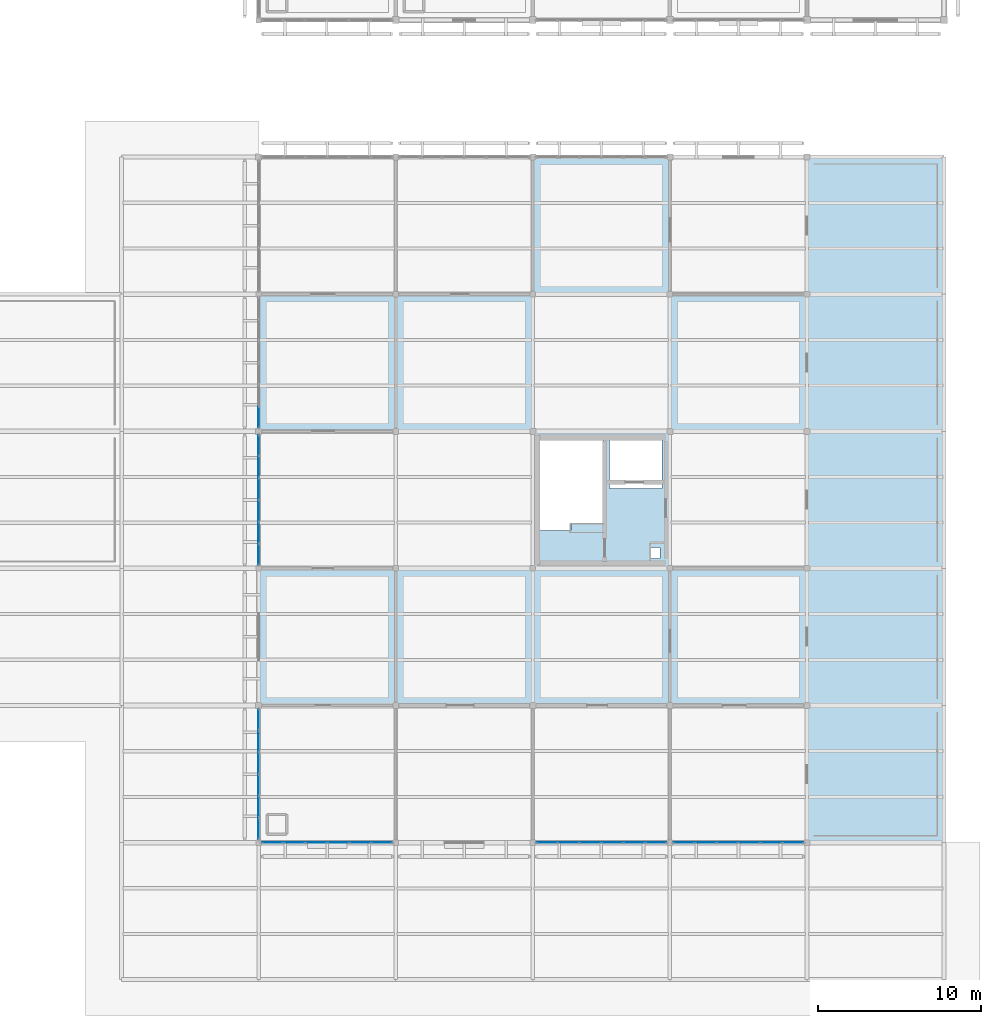
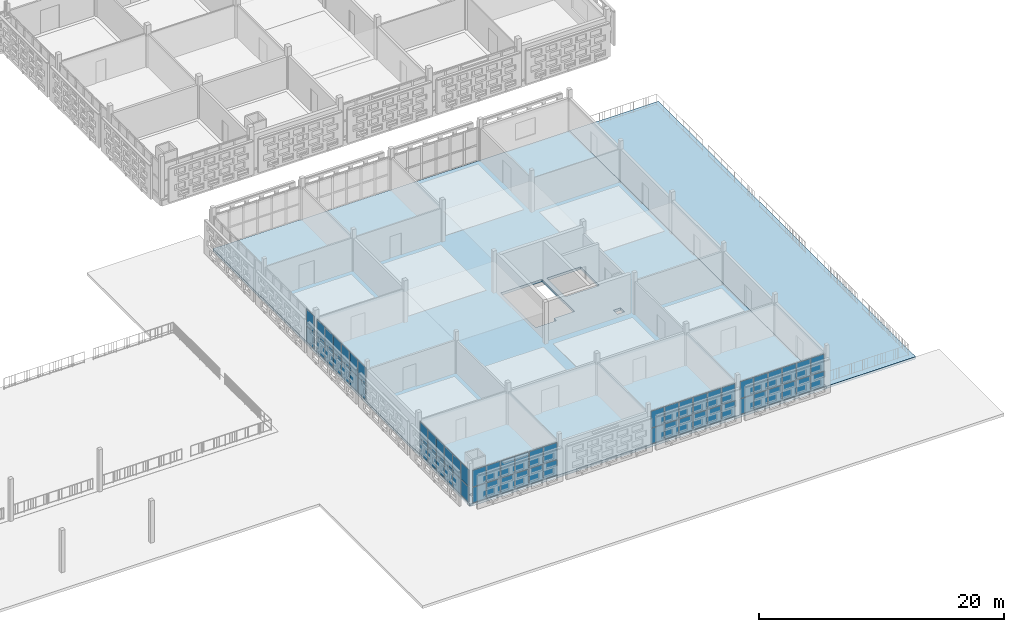
# One storey, part 89 of 166: 62 plates, 2 slabs, 6 elements without a shape of their own.
"""IFC4 building model written with IfcOpenShell, lengths in metres."""

from ifc_helpers import new_model, si_unit, direction, frame, origin, origin_2d, place, context, subcontext, project, spatial, polyline, rectangle, outline, extrude, material, layer, layer_set, type_object, element, aggregate, save


model = new_model("IFC4")

# Units and contexts
model_context = context("Model", 3, precision=1e-05, world=origin(), true_north=direction((0.0, 1.0)))
body_context = subcontext(model_context, "Body", "Model", "MODEL_VIEW")
ifc_project = project(units=[si_unit("LENGTHUNIT", "METRE"), si_unit("AREAUNIT", "SQUARE_METRE"), si_unit("VOLUMEUNIT", "CUBIC_METRE"), si_unit("PLANEANGLEUNIT", "RADIAN"), si_unit("MASSUNIT", "GRAM", prefix="KILO")], contexts=[model_context])

# Site, building, storey
site_placement = place(None, origin())
site = spatial("IfcSite", under=ifc_project, at=site_placement, CompositionType="ELEMENT")
building_placement = place(site_placement, origin())
building = spatial("IfcBuilding", under=site, at=building_placement, Name="Varnapada Polytechnic", CompositionType="ELEMENT")
storey_placement = place(building_placement, frame((0.0, 0.0, 9.60009765625)))
storey = spatial("IfcBuildingStorey", under=building, at=storey_placement, Name="L02", CompositionType="ELEMENT", Elevation=9.60009765625)

# Curtain wall, plates
ifc_material_1 = material(Name="Double low-E laminated glass", Category="glass")
ifc_layer_1 = layer(ifc_material_1, 0.159912109375)
ifc_layer_set_1 = layer_set([ifc_layer_1], Name="Double low-E laminated glass")
curtain_wall_type_1 = type_object("IfcCurtainWallType", Name="Curtain Wall CW-01", PredefinedType="NOTDEFINED", material=ifc_layer_set_1)
curtain_wall_1_placement = place(storey_placement, origin())
curtain_wall_1 = element("IfcCurtainWall", 1, at=curtain_wall_1_placement, inside=storey, type_object=curtain_wall_type_1, Name="L02 unitised curtain wall CW-01 (184)", PredefinedType="NOTDEFINED")
ifc_layer_2 = layer(ifc_material_1, 0.028076171875)
ifc_layer_set_2 = layer_set([ifc_layer_2], Name="Double low-E laminated glass")
plate_type_1 = type_object("IfcPlateType", Name="Curtain Panel PNL-01", PredefinedType="CURTAIN_PANEL", material=ifc_layer_set_2)
plate_1_placement = place(storey_placement, frame((134.39990234375, 26.055908203125, 0.06005859375), z_axis=(0.0, 0.0, 1.0), x_axis=(0.0, 1.0, 0.0)))
plate_1 = element("IfcPlate", 2, at=plate_1_placement, type_object=plate_type_1, Name="CW-01 panel 1.1", PredefinedType="CURTAIN_PANEL", context=body_context, shape_type="SweptSolid", body=[
    extrude(rectangle(XDim=1.251708984375, YDim=0.028076171875, at=origin_2d()), origin(), (0.0, 0.0, 1.0), 1.522705078125),
])
plate_2_placement = place(storey_placement, frame((134.39990234375, 26.055908203125, 1.642578125), z_axis=(0.0, 0.0, 1.0), x_axis=(0.0, 1.0, 0.0)))
plate_2 = element("IfcPlate", 3, at=plate_2_placement, type_object=plate_type_1, Name="CW-01 panel 1.2", PredefinedType="CURTAIN_PANEL", context=body_context, shape_type="SweptSolid", body=[
    extrude(rectangle(XDim=1.251708984375, YDim=0.028076171875, at=origin_2d()), origin(), (0.0, 0.0, 1.0), 1.6572265625),
])
plate_3_placement = place(storey_placement, frame((134.39990234375, 27.382568359375, 0.06005859375), z_axis=(0.0, 0.0, 1.0), x_axis=(0.0, 1.0, 0.0)))
plate_3 = element("IfcPlate", 4, at=plate_3_placement, type_object=plate_type_1, Name="CW-01 panel 2.1", PredefinedType="CURTAIN_PANEL", context=body_context, shape_type="SweptSolid", body=[
    extrude(rectangle(XDim=1.28173828125, YDim=0.028076171875, at=origin_2d()), origin(), (0.0, 0.0, 1.0), 1.522705078125),
])
plate_4_placement = place(storey_placement, frame((134.39990234375, 27.382568359375, 1.642578125), z_axis=(0.0, 0.0, 1.0), x_axis=(0.0, 1.0, 0.0)))
plate_4 = element("IfcPlate", 5, at=plate_4_placement, type_object=plate_type_1, Name="CW-01 panel 2.2", PredefinedType="CURTAIN_PANEL", context=body_context, shape_type="SweptSolid", body=[
    extrude(rectangle(XDim=1.28173828125, YDim=0.028076171875, at=origin_2d()), origin(), (0.0, 0.0, 1.0), 1.6572265625),
])
plate_5_placement = place(storey_placement, frame((134.39990234375, 28.72412109375, 0.06005859375), z_axis=(0.0, 0.0, 1.0), x_axis=(0.0, 1.0, 0.0)))
plate_5 = element("IfcPlate", 6, at=plate_5_placement, type_object=plate_type_1, Name="CW-01 panel 3.1", PredefinedType="CURTAIN_PANEL", context=body_context, shape_type="SweptSolid", body=[
    extrude(rectangle(XDim=1.28173828125, YDim=0.028076171875, at=origin_2d()), origin(), (0.0, 0.0, 1.0), 1.522705078125),
])
plate_6_placement = place(storey_placement, frame((134.39990234375, 28.72412109375, 1.642578125), z_axis=(0.0, 0.0, 1.0), x_axis=(0.0, 1.0, 0.0)))
plate_6 = element("IfcPlate", 7, at=plate_6_placement, type_object=plate_type_1, Name="CW-01 panel 3.2", PredefinedType="CURTAIN_PANEL", context=body_context, shape_type="SweptSolid", body=[
    extrude(rectangle(XDim=1.28173828125, YDim=0.028076171875, at=origin_2d()), origin(), (0.0, 0.0, 1.0), 1.6572265625),
])
plate_7_placement = place(storey_placement, frame((134.39990234375, 30.06591796875, 0.06005859375), z_axis=(0.0, 0.0, 1.0), x_axis=(0.0, 1.0, 0.0)))
plate_7 = element("IfcPlate", 8, at=plate_7_placement, type_object=plate_type_1, Name="CW-01 panel 4.1", PredefinedType="CURTAIN_PANEL", context=body_context, shape_type="SweptSolid", body=[
    extrude(rectangle(XDim=1.28173828125, YDim=0.028076171875, at=origin_2d()), origin(), (0.0, 0.0, 1.0), 1.522705078125),
])
plate_8_placement = place(storey_placement, frame((134.39990234375, 30.06591796875, 1.642578125), z_axis=(0.0, 0.0, 1.0), x_axis=(0.0, 1.0, 0.0)))
plate_8 = element("IfcPlate", 9, at=plate_8_placement, type_object=plate_type_1, Name="CW-01 panel 4.2", PredefinedType="CURTAIN_PANEL", context=body_context, shape_type="SweptSolid", body=[
    extrude(rectangle(XDim=1.28173828125, YDim=0.028076171875, at=origin_2d()), origin(), (0.0, 0.0, 1.0), 1.6572265625),
])
plate_9_placement = place(storey_placement, frame((134.39990234375, 31.407470703125, 0.06005859375), z_axis=(0.0, 0.0, 1.0), x_axis=(0.0, 1.0, 0.0)))
plate_9 = element("IfcPlate", 10, at=plate_9_placement, type_object=plate_type_1, Name="CW-01 panel 5.1", PredefinedType="CURTAIN_PANEL", context=body_context, shape_type="SweptSolid", body=[
    extrude(rectangle(XDim=1.28173828125, YDim=0.028076171875, at=origin_2d()), origin(), (0.0, 0.0, 1.0), 1.522705078125),
])
plate_10_placement = place(storey_placement, frame((134.39990234375, 31.407470703125, 1.642578125), z_axis=(0.0, 0.0, 1.0), x_axis=(0.0, 1.0, 0.0)))
plate_10 = element("IfcPlate", 11, at=plate_10_placement, type_object=plate_type_1, Name="CW-01 panel 5.2", PredefinedType="CURTAIN_PANEL", context=body_context, shape_type="SweptSolid", body=[
    extrude(rectangle(XDim=1.28173828125, YDim=0.028076171875, at=origin_2d()), origin(), (0.0, 0.0, 1.0), 1.6572265625),
])
plate_11_placement = place(storey_placement, frame((134.39990234375, 32.734130859375, 0.06005859375), z_axis=(0.0, 0.0, 1.0), x_axis=(0.0, 1.0, 0.0)))
plate_11 = element("IfcPlate", 12, at=plate_11_placement, type_object=plate_type_1, Name="CW-01 panel 6.1", PredefinedType="CURTAIN_PANEL", context=body_context, shape_type="SweptSolid", body=[
    extrude(rectangle(XDim=1.251708984375, YDim=0.028076171875, at=origin_2d()), origin(), (0.0, 0.0, 1.0), 1.522705078125),
])
plate_12_placement = place(storey_placement, frame((134.39990234375, 32.734130859375, 1.642578125), z_axis=(0.0, 0.0, 1.0), x_axis=(0.0, 1.0, 0.0)))
plate_12 = element("IfcPlate", 13, at=plate_12_placement, type_object=plate_type_1, Name="CW-01 panel 6.2", PredefinedType="CURTAIN_PANEL", context=body_context, shape_type="SweptSolid", body=[
    extrude(rectangle(XDim=1.251708984375, YDim=0.028076171875, at=origin_2d()), origin(), (0.0, 0.0, 1.0), 1.6572265625),
])
aggregate(curtain_wall_1, [plate_1, plate_2, plate_3, plate_4, plate_5, plate_6, plate_7, plate_8, plate_9, plate_10, plate_11, plate_12])

curtain_wall_2_placement = place(storey_placement, origin())
curtain_wall_2 = element("IfcCurtainWall", 14, at=curtain_wall_2_placement, inside=storey, type_object=curtain_wall_type_1, Name="L02 unitised curtain wall CW-01 (185)", PredefinedType="NOTDEFINED")
plate_13_placement = place(storey_placement, frame((134.39990234375, 34.4658203125, 0.06005859375), z_axis=(0.0, 0.0, 1.0), x_axis=(0.0, 1.0, 0.0)))
plate_13 = element("IfcPlate", 15, at=plate_13_placement, type_object=plate_type_1, Name="CW-01 panel 1.1", PredefinedType="CURTAIN_PANEL", context=body_context, shape_type="SweptSolid", body=[
    extrude(rectangle(XDim=1.251708984375, YDim=0.028076171875, at=origin_2d()), origin(), (0.0, 0.0, 1.0), 1.522705078125),
])
plate_14_placement = place(storey_placement, frame((134.39990234375, 34.4658203125, 1.642578125), z_axis=(0.0, 0.0, 1.0), x_axis=(0.0, 1.0, 0.0)))
plate_14 = element("IfcPlate", 16, at=plate_14_placement, type_object=plate_type_1, Name="CW-01 panel 1.2", PredefinedType="CURTAIN_PANEL", context=body_context, shape_type="SweptSolid", body=[
    extrude(rectangle(XDim=1.251708984375, YDim=0.028076171875, at=origin_2d()), origin(), (0.0, 0.0, 1.0), 1.6572265625),
])
aggregate(curtain_wall_2, [plate_13, plate_14])

ifc_layer_3 = layer(ifc_material_1, 0.179931640625)
ifc_layer_set_3 = layer_set([ifc_layer_3], Name="Double low-E laminated glass")
curtain_wall_type_2 = type_object("IfcCurtainWallType", Name="Curtain Wall CW-04", PredefinedType="NOTDEFINED", material=ifc_layer_set_3)
curtain_wall_3_placement = place(storey_placement, origin())
curtain_wall_3 = element("IfcCurtainWall", 17, at=curtain_wall_3_placement, inside=storey, type_object=curtain_wall_type_2, Name="L02 unitised curtain wall CW-04 (182)", PredefinedType="NOTDEFINED")
ifc_layer_4 = layer(ifc_material_1, 0.031982421875)
ifc_layer_set_4 = layer_set([ifc_layer_4], Name="Double low-E laminated glass")
plate_type_2 = type_object("IfcPlateType", Name="Curtain Panel PNL-02", PredefinedType="CURTAIN_PANEL", material=ifc_layer_set_4)
plate_15_placement = place(storey_placement, frame((141.942138671875, 8.39990234375, 0.06494140625), z_axis=(0.0, 0.0, 1.0), x_axis=(-1.0, 0.0, 0.0)))
plate_15 = element("IfcPlate", 18, at=plate_15_placement, type_object=plate_type_2, Name="CW-04 panel 1.1", PredefinedType="CURTAIN_PANEL", context=body_context, shape_type="SweptSolid", body=[
    extrude(rectangle(XDim=1.245849609375, YDim=0.031982421875, at=origin_2d()), origin(), (0.0, 0.0, 1.0), 1.515380859375),
])
plate_16_placement = place(storey_placement, frame((141.942138671875, 8.39990234375, 1.64501953125), z_axis=(0.0, 0.0, 1.0), x_axis=(-1.0, 0.0, 0.0)))
plate_16 = element("IfcPlate", 19, at=plate_16_placement, type_object=plate_type_2, Name="CW-04 panel 1.2", PredefinedType="CURTAIN_PANEL", context=body_context, shape_type="SweptSolid", body=[
    extrude(rectangle(XDim=1.245849609375, YDim=0.031982421875, at=origin_2d()), origin(), (0.0, 0.0, 1.0), 1.649658203125),
])
plate_17_placement = place(storey_placement, frame((140.614990234375, 8.39990234375, 0.06494140625), z_axis=(0.0, 0.0, 1.0), x_axis=(-1.0, 0.0, 0.0)))
plate_17 = element("IfcPlate", 20, at=plate_17_placement, type_object=plate_type_2, Name="CW-04 panel 2.1", PredefinedType="CURTAIN_PANEL", context=body_context, shape_type="SweptSolid", body=[
    extrude(rectangle(XDim=1.2783203125, YDim=0.031982421875, at=origin_2d()), origin(), (0.0, 0.0, 1.0), 1.515380859375),
])
plate_18_placement = place(storey_placement, frame((140.614990234375, 8.39990234375, 1.64501953125), z_axis=(0.0, 0.0, 1.0), x_axis=(-1.0, 0.0, 0.0)))
plate_18 = element("IfcPlate", 21, at=plate_18_placement, type_object=plate_type_2, Name="CW-04 panel 2.2", PredefinedType="CURTAIN_PANEL", context=body_context, shape_type="SweptSolid", body=[
    extrude(rectangle(XDim=1.2783203125, YDim=0.031982421875, at=origin_2d()), origin(), (0.0, 0.0, 1.0), 1.649658203125),
])
plate_19_placement = place(storey_placement, frame((139.271728515625, 8.39990234375, 0.06494140625), z_axis=(0.0, 0.0, 1.0), x_axis=(-1.0, 0.0, 0.0)))
plate_19 = element("IfcPlate", 22, at=plate_19_placement, type_object=plate_type_2, Name="CW-04 panel 3.1", PredefinedType="CURTAIN_PANEL", context=body_context, shape_type="SweptSolid", body=[
    extrude(rectangle(XDim=1.2783203125, YDim=0.031982421875, at=origin_2d()), origin(), (0.0, 0.0, 1.0), 1.515380859375),
])
plate_20_placement = place(storey_placement, frame((139.271728515625, 8.39990234375, 1.64501953125), z_axis=(0.0, 0.0, 1.0), x_axis=(-1.0, 0.0, 0.0)))
plate_20 = element("IfcPlate", 23, at=plate_20_placement, type_object=plate_type_2, Name="CW-04 panel 3.2", PredefinedType="CURTAIN_PANEL", context=body_context, shape_type="SweptSolid", body=[
    extrude(rectangle(XDim=1.2783203125, YDim=0.031982421875, at=origin_2d()), origin(), (0.0, 0.0, 1.0), 1.649658203125),
])
plate_21_placement = place(storey_placement, frame((137.92822265625, 8.39990234375, 0.06494140625), z_axis=(0.0, 0.0, 1.0), x_axis=(-1.0, 0.0, 0.0)))
plate_21 = element("IfcPlate", 24, at=plate_21_placement, type_object=plate_type_2, Name="CW-04 panel 4.1", PredefinedType="CURTAIN_PANEL", context=body_context, shape_type="SweptSolid", body=[
    extrude(rectangle(XDim=1.2783203125, YDim=0.031982421875, at=origin_2d()), origin(), (0.0, 0.0, 1.0), 1.515380859375),
])
plate_22_placement = place(storey_placement, frame((137.92822265625, 8.39990234375, 1.64501953125), z_axis=(0.0, 0.0, 1.0), x_axis=(-1.0, 0.0, 0.0)))
plate_22 = element("IfcPlate", 25, at=plate_22_placement, type_object=plate_type_2, Name="CW-04 panel 4.2", PredefinedType="CURTAIN_PANEL", context=body_context, shape_type="SweptSolid", body=[
    extrude(rectangle(XDim=1.2783203125, YDim=0.031982421875, at=origin_2d()), origin(), (0.0, 0.0, 1.0), 1.649658203125),
])
plate_23_placement = place(storey_placement, frame((136.5849609375, 8.39990234375, 0.06494140625), z_axis=(0.0, 0.0, 1.0), x_axis=(-1.0, 0.0, 0.0)))
plate_23 = element("IfcPlate", 26, at=plate_23_placement, type_object=plate_type_2, Name="CW-04 panel 5.1", PredefinedType="CURTAIN_PANEL", context=body_context, shape_type="SweptSolid", body=[
    extrude(rectangle(XDim=1.2783203125, YDim=0.031982421875, at=origin_2d()), origin(), (0.0, 0.0, 1.0), 1.515380859375),
])
plate_24_placement = place(storey_placement, frame((136.5849609375, 8.39990234375, 1.64501953125), z_axis=(0.0, 0.0, 1.0), x_axis=(-1.0, 0.0, 0.0)))
plate_24 = element("IfcPlate", 27, at=plate_24_placement, type_object=plate_type_2, Name="CW-04 panel 5.2", PredefinedType="CURTAIN_PANEL", context=body_context, shape_type="SweptSolid", body=[
    extrude(rectangle(XDim=1.2783203125, YDim=0.031982421875, at=origin_2d()), origin(), (0.0, 0.0, 1.0), 1.649658203125),
])
plate_25_placement = place(storey_placement, frame((135.2578125, 8.39990234375, 0.06494140625), z_axis=(0.0, 0.0, 1.0), x_axis=(-1.0, 0.0, 0.0)))
plate_25 = element("IfcPlate", 28, at=plate_25_placement, type_object=plate_type_2, Name="CW-04 panel 6.1", PredefinedType="CURTAIN_PANEL", context=body_context, shape_type="SweptSolid", body=[
    extrude(rectangle(XDim=1.245849609375, YDim=0.031982421875, at=origin_2d()), origin(), (0.0, 0.0, 1.0), 1.515380859375),
])
plate_26_placement = place(storey_placement, frame((135.2578125, 8.39990234375, 1.64501953125), z_axis=(0.0, 0.0, 1.0), x_axis=(-1.0, 0.0, 0.0)))
plate_26 = element("IfcPlate", 29, at=plate_26_placement, type_object=plate_type_2, Name="CW-04 panel 6.2", PredefinedType="CURTAIN_PANEL", context=body_context, shape_type="SweptSolid", body=[
    extrude(rectangle(XDim=1.245849609375, YDim=0.031982421875, at=origin_2d()), origin(), (0.0, 0.0, 1.0), 1.649658203125),
])
aggregate(curtain_wall_3, [plate_15, plate_16, plate_17, plate_18, plate_19, plate_20, plate_21, plate_22, plate_23, plate_24, plate_25, plate_26])

curtain_wall_4_placement = place(storey_placement, origin())
curtain_wall_4 = element("IfcCurtainWall", 30, at=curtain_wall_4_placement, inside=storey, type_object=curtain_wall_type_2, Name="L02 unitised curtain wall CW-04 (183)", PredefinedType="NOTDEFINED")
plate_27_placement = place(storey_placement, frame((134.39990234375, 9.257080078125, 0.06494140625), z_axis=(0.0, 0.0, 1.0), x_axis=(0.0, 1.0, 0.0)))
plate_27 = element("IfcPlate", 31, at=plate_27_placement, type_object=plate_type_2, Name="CW-04 panel 1.1", PredefinedType="CURTAIN_PANEL", context=body_context, shape_type="SweptSolid", body=[
    extrude(rectangle(XDim=1.244140625, YDim=0.031982421875, at=origin_2d()), origin(), (0.0, 0.0, 1.0), 1.515380859375),
])
plate_28_placement = place(storey_placement, frame((134.39990234375, 9.257080078125, 1.64501953125), z_axis=(0.0, 0.0, 1.0), x_axis=(0.0, 1.0, 0.0)))
plate_28 = element("IfcPlate", 32, at=plate_28_placement, type_object=plate_type_2, Name="CW-04 panel 1.2", PredefinedType="CURTAIN_PANEL", context=body_context, shape_type="SweptSolid", body=[
    extrude(rectangle(XDim=1.244140625, YDim=0.031982421875, at=origin_2d()), origin(), (0.0, 0.0, 1.0), 1.649658203125),
])
plate_29_placement = place(storey_placement, frame((134.39990234375, 10.58251953125, 0.06494140625), z_axis=(0.0, 0.0, 1.0), x_axis=(0.0, 1.0, 0.0)))
plate_29 = element("IfcPlate", 33, at=plate_29_placement, type_object=plate_type_2, Name="CW-04 panel 2.1", PredefinedType="CURTAIN_PANEL", context=body_context, shape_type="SweptSolid", body=[
    extrude(rectangle(XDim=1.276611328125, YDim=0.031982421875, at=origin_2d()), origin(), (0.0, 0.0, 1.0), 1.515380859375),
])
plate_30_placement = place(storey_placement, frame((134.39990234375, 10.58251953125, 1.64501953125), z_axis=(0.0, 0.0, 1.0), x_axis=(0.0, 1.0, 0.0)))
plate_30 = element("IfcPlate", 34, at=plate_30_placement, type_object=plate_type_2, Name="CW-04 panel 2.2", PredefinedType="CURTAIN_PANEL", context=body_context, shape_type="SweptSolid", body=[
    extrude(rectangle(XDim=1.276611328125, YDim=0.031982421875, at=origin_2d()), origin(), (0.0, 0.0, 1.0), 1.649658203125),
])
plate_31_placement = place(storey_placement, frame((134.39990234375, 11.924072265625, 0.06494140625), z_axis=(0.0, 0.0, 1.0), x_axis=(0.0, 1.0, 0.0)))
plate_31 = element("IfcPlate", 35, at=plate_31_placement, type_object=plate_type_2, Name="CW-04 panel 3.1", PredefinedType="CURTAIN_PANEL", context=body_context, shape_type="SweptSolid", body=[
    extrude(rectangle(XDim=1.276611328125, YDim=0.031982421875, at=origin_2d()), origin(), (0.0, 0.0, 1.0), 1.515380859375),
])
plate_32_placement = place(storey_placement, frame((134.39990234375, 11.924072265625, 1.64501953125), z_axis=(0.0, 0.0, 1.0), x_axis=(0.0, 1.0, 0.0)))
plate_32 = element("IfcPlate", 36, at=plate_32_placement, type_object=plate_type_2, Name="CW-04 panel 3.2", PredefinedType="CURTAIN_PANEL", context=body_context, shape_type="SweptSolid", body=[
    extrude(rectangle(XDim=1.276611328125, YDim=0.031982421875, at=origin_2d()), origin(), (0.0, 0.0, 1.0), 1.649658203125),
])
plate_33_placement = place(storey_placement, frame((134.39990234375, 13.265869140625, 0.06494140625), z_axis=(0.0, 0.0, 1.0), x_axis=(0.0, 1.0, 0.0)))
plate_33 = element("IfcPlate", 37, at=plate_33_placement, type_object=plate_type_2, Name="CW-04 panel 4.1", PredefinedType="CURTAIN_PANEL", context=body_context, shape_type="SweptSolid", body=[
    extrude(rectangle(XDim=1.276611328125, YDim=0.031982421875, at=origin_2d()), origin(), (0.0, 0.0, 1.0), 1.515380859375),
])
plate_34_placement = place(storey_placement, frame((134.39990234375, 13.265869140625, 1.64501953125), z_axis=(0.0, 0.0, 1.0), x_axis=(0.0, 1.0, 0.0)))
plate_34 = element("IfcPlate", 38, at=plate_34_placement, type_object=plate_type_2, Name="CW-04 panel 4.2", PredefinedType="CURTAIN_PANEL", context=body_context, shape_type="SweptSolid", body=[
    extrude(rectangle(XDim=1.276611328125, YDim=0.031982421875, at=origin_2d()), origin(), (0.0, 0.0, 1.0), 1.649658203125),
])
plate_35_placement = place(storey_placement, frame((134.39990234375, 14.607421875, 0.06494140625), z_axis=(0.0, 0.0, 1.0), x_axis=(0.0, 1.0, 0.0)))
plate_35 = element("IfcPlate", 39, at=plate_35_placement, type_object=plate_type_2, Name="CW-04 panel 5.1", PredefinedType="CURTAIN_PANEL", context=body_context, shape_type="SweptSolid", body=[
    extrude(rectangle(XDim=1.276611328125, YDim=0.031982421875, at=origin_2d()), origin(), (0.0, 0.0, 1.0), 1.515380859375),
])
plate_36_placement = place(storey_placement, frame((134.39990234375, 14.607421875, 1.64501953125), z_axis=(0.0, 0.0, 1.0), x_axis=(0.0, 1.0, 0.0)))
plate_36 = element("IfcPlate", 40, at=plate_36_placement, type_object=plate_type_2, Name="CW-04 panel 5.2", PredefinedType="CURTAIN_PANEL", context=body_context, shape_type="SweptSolid", body=[
    extrude(rectangle(XDim=1.276611328125, YDim=0.031982421875, at=origin_2d()), origin(), (0.0, 0.0, 1.0), 1.649658203125),
])
plate_37_placement = place(storey_placement, frame((134.39990234375, 15.932861328125, 0.06494140625), z_axis=(0.0, 0.0, 1.0), x_axis=(0.0, 1.0, 0.0)))
plate_37 = element("IfcPlate", 41, at=plate_37_placement, type_object=plate_type_2, Name="CW-04 panel 6.1", PredefinedType="CURTAIN_PANEL", context=body_context, shape_type="SweptSolid", body=[
    extrude(rectangle(XDim=1.244140625, YDim=0.031982421875, at=origin_2d()), origin(), (0.0, 0.0, 1.0), 1.515380859375),
])
plate_38_placement = place(storey_placement, frame((134.39990234375, 15.932861328125, 1.64501953125), z_axis=(0.0, 0.0, 1.0), x_axis=(0.0, 1.0, 0.0)))
plate_38 = element("IfcPlate", 42, at=plate_38_placement, type_object=plate_type_2, Name="CW-04 panel 6.2", PredefinedType="CURTAIN_PANEL", context=body_context, shape_type="SweptSolid", body=[
    extrude(rectangle(XDim=1.244140625, YDim=0.031982421875, at=origin_2d()), origin(), (0.0, 0.0, 1.0), 1.649658203125),
])
aggregate(curtain_wall_4, [plate_27, plate_28, plate_29, plate_30, plate_31, plate_32, plate_33, plate_34, plate_35, plate_36, plate_37, plate_38])

curtain_wall_5_placement = place(storey_placement, origin())
curtain_wall_5 = element("IfcCurtainWall", 43, at=curtain_wall_5_placement, inside=storey, type_object=curtain_wall_type_2, Name="L02 unitised curtain wall CW-04 (194)", PredefinedType="NOTDEFINED")
plate_39_placement = place(storey_placement, frame((158.7421875, 8.39990234375, 0.06494140625), z_axis=(0.0, 0.0, 1.0), x_axis=(-1.0, 0.0, 0.0)))
plate_39 = element("IfcPlate", 44, at=plate_39_placement, type_object=plate_type_2, Name="CW-04 panel 1.1", PredefinedType="CURTAIN_PANEL", context=body_context, shape_type="SweptSolid", body=[
    extrude(rectangle(XDim=1.245849609375, YDim=0.031982421875, at=origin_2d()), origin(), (0.0, 0.0, 1.0), 1.515380859375),
])
plate_40_placement = place(storey_placement, frame((158.7421875, 8.39990234375, 1.64501953125), z_axis=(0.0, 0.0, 1.0), x_axis=(-1.0, 0.0, 0.0)))
plate_40 = element("IfcPlate", 45, at=plate_40_placement, type_object=plate_type_2, Name="CW-04 panel 1.2", PredefinedType="CURTAIN_PANEL", context=body_context, shape_type="SweptSolid", body=[
    extrude(rectangle(XDim=1.245849609375, YDim=0.031982421875, at=origin_2d()), origin(), (0.0, 0.0, 1.0), 1.649658203125),
])
plate_41_placement = place(storey_placement, frame((157.4150390625, 8.39990234375, 0.06494140625), z_axis=(0.0, 0.0, 1.0), x_axis=(-1.0, 0.0, 0.0)))
plate_41 = element("IfcPlate", 46, at=plate_41_placement, type_object=plate_type_2, Name="CW-04 panel 2.1", PredefinedType="CURTAIN_PANEL", context=body_context, shape_type="SweptSolid", body=[
    extrude(rectangle(XDim=1.2783203125, YDim=0.031982421875, at=origin_2d()), origin(), (0.0, 0.0, 1.0), 1.515380859375),
])
plate_42_placement = place(storey_placement, frame((157.4150390625, 8.39990234375, 1.64501953125), z_axis=(0.0, 0.0, 1.0), x_axis=(-1.0, 0.0, 0.0)))
plate_42 = element("IfcPlate", 47, at=plate_42_placement, type_object=plate_type_2, Name="CW-04 panel 2.2", PredefinedType="CURTAIN_PANEL", context=body_context, shape_type="SweptSolid", body=[
    extrude(rectangle(XDim=1.2783203125, YDim=0.031982421875, at=origin_2d()), origin(), (0.0, 0.0, 1.0), 1.649658203125),
])
plate_43_placement = place(storey_placement, frame((156.07177734375, 8.39990234375, 0.06494140625), z_axis=(0.0, 0.0, 1.0), x_axis=(-1.0, 0.0, 0.0)))
plate_43 = element("IfcPlate", 48, at=plate_43_placement, type_object=plate_type_2, Name="CW-04 panel 3.1", PredefinedType="CURTAIN_PANEL", context=body_context, shape_type="SweptSolid", body=[
    extrude(rectangle(XDim=1.2783203125, YDim=0.031982421875, at=origin_2d()), origin(), (0.0, 0.0, 1.0), 1.515380859375),
])
plate_44_placement = place(storey_placement, frame((156.07177734375, 8.39990234375, 1.64501953125), z_axis=(0.0, 0.0, 1.0), x_axis=(-1.0, 0.0, 0.0)))
plate_44 = element("IfcPlate", 49, at=plate_44_placement, type_object=plate_type_2, Name="CW-04 panel 3.2", PredefinedType="CURTAIN_PANEL", context=body_context, shape_type="SweptSolid", body=[
    extrude(rectangle(XDim=1.2783203125, YDim=0.031982421875, at=origin_2d()), origin(), (0.0, 0.0, 1.0), 1.649658203125),
])
plate_45_placement = place(storey_placement, frame((154.728271484375, 8.39990234375, 0.06494140625), z_axis=(0.0, 0.0, 1.0), x_axis=(-1.0, 0.0, 0.0)))
plate_45 = element("IfcPlate", 50, at=plate_45_placement, type_object=plate_type_2, Name="CW-04 panel 4.1", PredefinedType="CURTAIN_PANEL", context=body_context, shape_type="SweptSolid", body=[
    extrude(rectangle(XDim=1.2783203125, YDim=0.031982421875, at=origin_2d()), origin(), (0.0, 0.0, 1.0), 1.515380859375),
])
plate_46_placement = place(storey_placement, frame((154.728271484375, 8.39990234375, 1.64501953125), z_axis=(0.0, 0.0, 1.0), x_axis=(-1.0, 0.0, 0.0)))
plate_46 = element("IfcPlate", 51, at=plate_46_placement, type_object=plate_type_2, Name="CW-04 panel 4.2", PredefinedType="CURTAIN_PANEL", context=body_context, shape_type="SweptSolid", body=[
    extrude(rectangle(XDim=1.2783203125, YDim=0.031982421875, at=origin_2d()), origin(), (0.0, 0.0, 1.0), 1.649658203125),
])
plate_47_placement = place(storey_placement, frame((153.385009765625, 8.39990234375, 0.06494140625), z_axis=(0.0, 0.0, 1.0), x_axis=(-1.0, 0.0, 0.0)))
plate_47 = element("IfcPlate", 52, at=plate_47_placement, type_object=plate_type_2, Name="CW-04 panel 5.1", PredefinedType="CURTAIN_PANEL", context=body_context, shape_type="SweptSolid", body=[
    extrude(rectangle(XDim=1.2783203125, YDim=0.031982421875, at=origin_2d()), origin(), (0.0, 0.0, 1.0), 1.515380859375),
])
plate_48_placement = place(storey_placement, frame((153.385009765625, 8.39990234375, 1.64501953125), z_axis=(0.0, 0.0, 1.0), x_axis=(-1.0, 0.0, 0.0)))
plate_48 = element("IfcPlate", 53, at=plate_48_placement, type_object=plate_type_2, Name="CW-04 panel 5.2", PredefinedType="CURTAIN_PANEL", context=body_context, shape_type="SweptSolid", body=[
    extrude(rectangle(XDim=1.2783203125, YDim=0.031982421875, at=origin_2d()), origin(), (0.0, 0.0, 1.0), 1.649658203125),
])
plate_49_placement = place(storey_placement, frame((152.057861328125, 8.39990234375, 0.06494140625), z_axis=(0.0, 0.0, 1.0), x_axis=(-1.0, 0.0, 0.0)))
plate_49 = element("IfcPlate", 54, at=plate_49_placement, type_object=plate_type_2, Name="CW-04 panel 6.1", PredefinedType="CURTAIN_PANEL", context=body_context, shape_type="SweptSolid", body=[
    extrude(rectangle(XDim=1.245849609375, YDim=0.031982421875, at=origin_2d()), origin(), (0.0, 0.0, 1.0), 1.515380859375),
])
plate_50_placement = place(storey_placement, frame((152.057861328125, 8.39990234375, 1.64501953125), z_axis=(0.0, 0.0, 1.0), x_axis=(-1.0, 0.0, 0.0)))
plate_50 = element("IfcPlate", 55, at=plate_50_placement, type_object=plate_type_2, Name="CW-04 panel 6.2", PredefinedType="CURTAIN_PANEL", context=body_context, shape_type="SweptSolid", body=[
    extrude(rectangle(XDim=1.245849609375, YDim=0.031982421875, at=origin_2d()), origin(), (0.0, 0.0, 1.0), 1.649658203125),
])
aggregate(curtain_wall_5, [plate_39, plate_40, plate_41, plate_42, plate_43, plate_44, plate_45, plate_46, plate_47, plate_48, plate_49, plate_50])

curtain_wall_6_placement = place(storey_placement, origin())
curtain_wall_6 = element("IfcCurtainWall", 56, at=curtain_wall_6_placement, inside=storey, type_object=curtain_wall_type_2, Name="L02 unitised curtain wall CW-04 (198)", PredefinedType="NOTDEFINED")
plate_51_placement = place(storey_placement, frame((167.14208984375, 8.39990234375, 0.06494140625), z_axis=(0.0, 0.0, 1.0), x_axis=(-1.0, 0.0, 0.0)))
plate_51 = element("IfcPlate", 57, at=plate_51_placement, type_object=plate_type_2, Name="CW-04 panel 1.1", PredefinedType="CURTAIN_PANEL", context=body_context, shape_type="SweptSolid", body=[
    extrude(rectangle(XDim=1.245849609375, YDim=0.031982421875, at=origin_2d()), origin(), (0.0, 0.0, 1.0), 1.515380859375),
])
plate_52_placement = place(storey_placement, frame((167.14208984375, 8.39990234375, 1.64501953125), z_axis=(0.0, 0.0, 1.0), x_axis=(-1.0, 0.0, 0.0)))
plate_52 = element("IfcPlate", 58, at=plate_52_placement, type_object=plate_type_2, Name="CW-04 panel 1.2", PredefinedType="CURTAIN_PANEL", context=body_context, shape_type="SweptSolid", body=[
    extrude(rectangle(XDim=1.245849609375, YDim=0.031982421875, at=origin_2d()), origin(), (0.0, 0.0, 1.0), 1.649658203125),
])
plate_53_placement = place(storey_placement, frame((165.81494140625, 8.39990234375, 0.06494140625), z_axis=(0.0, 0.0, 1.0), x_axis=(-1.0, 0.0, 0.0)))
plate_53 = element("IfcPlate", 59, at=plate_53_placement, type_object=plate_type_2, Name="CW-04 panel 2.1", PredefinedType="CURTAIN_PANEL", context=body_context, shape_type="SweptSolid", body=[
    extrude(rectangle(XDim=1.2783203125, YDim=0.031982421875, at=origin_2d()), origin(), (0.0, 0.0, 1.0), 1.515380859375),
])
plate_54_placement = place(storey_placement, frame((165.81494140625, 8.39990234375, 1.64501953125), z_axis=(0.0, 0.0, 1.0), x_axis=(-1.0, 0.0, 0.0)))
plate_54 = element("IfcPlate", 60, at=plate_54_placement, type_object=plate_type_2, Name="CW-04 panel 2.2", PredefinedType="CURTAIN_PANEL", context=body_context, shape_type="SweptSolid", body=[
    extrude(rectangle(XDim=1.2783203125, YDim=0.031982421875, at=origin_2d()), origin(), (0.0, 0.0, 1.0), 1.649658203125),
])
plate_55_placement = place(storey_placement, frame((164.4716796875, 8.39990234375, 0.06494140625), z_axis=(0.0, 0.0, 1.0), x_axis=(-1.0, 0.0, 0.0)))
plate_55 = element("IfcPlate", 61, at=plate_55_placement, type_object=plate_type_2, Name="CW-04 panel 3.1", PredefinedType="CURTAIN_PANEL", context=body_context, shape_type="SweptSolid", body=[
    extrude(rectangle(XDim=1.2783203125, YDim=0.031982421875, at=origin_2d()), origin(), (0.0, 0.0, 1.0), 1.515380859375),
])
plate_56_placement = place(storey_placement, frame((164.4716796875, 8.39990234375, 1.64501953125), z_axis=(0.0, 0.0, 1.0), x_axis=(-1.0, 0.0, 0.0)))
plate_56 = element("IfcPlate", 62, at=plate_56_placement, type_object=plate_type_2, Name="CW-04 panel 3.2", PredefinedType="CURTAIN_PANEL", context=body_context, shape_type="SweptSolid", body=[
    extrude(rectangle(XDim=1.2783203125, YDim=0.031982421875, at=origin_2d()), origin(), (0.0, 0.0, 1.0), 1.649658203125),
])
plate_57_placement = place(storey_placement, frame((163.12841796875, 8.39990234375, 0.06494140625), z_axis=(0.0, 0.0, 1.0), x_axis=(-1.0, 0.0, 0.0)))
plate_57 = element("IfcPlate", 63, at=plate_57_placement, type_object=plate_type_2, Name="CW-04 panel 4.1", PredefinedType="CURTAIN_PANEL", context=body_context, shape_type="SweptSolid", body=[
    extrude(rectangle(XDim=1.2783203125, YDim=0.031982421875, at=origin_2d()), origin(), (0.0, 0.0, 1.0), 1.515380859375),
])
plate_58_placement = place(storey_placement, frame((163.12841796875, 8.39990234375, 1.64501953125), z_axis=(0.0, 0.0, 1.0), x_axis=(-1.0, 0.0, 0.0)))
plate_58 = element("IfcPlate", 64, at=plate_58_placement, type_object=plate_type_2, Name="CW-04 panel 4.2", PredefinedType="CURTAIN_PANEL", context=body_context, shape_type="SweptSolid", body=[
    extrude(rectangle(XDim=1.2783203125, YDim=0.031982421875, at=origin_2d()), origin(), (0.0, 0.0, 1.0), 1.649658203125),
])
plate_59_placement = place(storey_placement, frame((161.784912109375, 8.39990234375, 0.06494140625), z_axis=(0.0, 0.0, 1.0), x_axis=(-1.0, 0.0, 0.0)))
plate_59 = element("IfcPlate", 65, at=plate_59_placement, type_object=plate_type_2, Name="CW-04 panel 5.1", PredefinedType="CURTAIN_PANEL", context=body_context, shape_type="SweptSolid", body=[
    extrude(rectangle(XDim=1.2783203125, YDim=0.031982421875, at=origin_2d()), origin(), (0.0, 0.0, 1.0), 1.515380859375),
])
plate_60_placement = place(storey_placement, frame((161.784912109375, 8.39990234375, 1.64501953125), z_axis=(0.0, 0.0, 1.0), x_axis=(-1.0, 0.0, 0.0)))
plate_60 = element("IfcPlate", 66, at=plate_60_placement, type_object=plate_type_2, Name="CW-04 panel 5.2", PredefinedType="CURTAIN_PANEL", context=body_context, shape_type="SweptSolid", body=[
    extrude(rectangle(XDim=1.2783203125, YDim=0.031982421875, at=origin_2d()), origin(), (0.0, 0.0, 1.0), 1.649658203125),
])
plate_61_placement = place(storey_placement, frame((160.4580078125, 8.39990234375, 0.06494140625), z_axis=(0.0, 0.0, 1.0), x_axis=(-1.0, 0.0, 0.0)))
plate_61 = element("IfcPlate", 67, at=plate_61_placement, type_object=plate_type_2, Name="CW-04 panel 6.1", PredefinedType="CURTAIN_PANEL", context=body_context, shape_type="SweptSolid", body=[
    extrude(rectangle(XDim=1.245849609375, YDim=0.031982421875, at=origin_2d()), origin(), (0.0, 0.0, 1.0), 1.515380859375),
])
plate_62_placement = place(storey_placement, frame((160.4580078125, 8.39990234375, 1.64501953125), z_axis=(0.0, 0.0, 1.0), x_axis=(-1.0, 0.0, 0.0)))
plate_62 = element("IfcPlate", 68, at=plate_62_placement, type_object=plate_type_2, Name="CW-04 panel 6.2", PredefinedType="CURTAIN_PANEL", context=body_context, shape_type="SweptSolid", body=[
    extrude(rectangle(XDim=1.245849609375, YDim=0.031982421875, at=origin_2d()), origin(), (0.0, 0.0, 1.0), 1.649658203125),
])
aggregate(curtain_wall_6, [plate_51, plate_52, plate_53, plate_54, plate_55, plate_56, plate_57, plate_58, plate_59, plate_60, plate_61, plate_62])

# Slabs
ifc_material_2 = material(Name="Cross-laminated timber CLT C24", Category="wood")
ifc_layer_5 = layer(ifc_material_2, 0.25)
ifc_layer_set_5 = layer_set([ifc_layer_5], Name="Cross-laminated timber CLT C24")
slab_type_1 = type_object("IfcSlabType", Name="L01/L02 library & union CLT composite slab SL-05", PredefinedType="FLOOR", material=ifc_layer_set_5)
slab_1_placement = place(storey_placement, frame((0.0, 0.0, -0.25)))
element("IfcSlab", 69, at=slab_1_placement, inside=storey, type_object=slab_type_1, Name="L02 V3 slab 1.1", PredefinedType="FLOOR", context=body_context, shape_type="SweptSolid", body=[
    extrude(outline(polyline([(134.39990234375, 33.60009765625), (134.39990234375, 42.0), (134.39990234375, 50.39990234375), (142.800048828125, 50.39990234375), (151.199951171875, 50.39990234375), (159.60009765625, 50.39990234375), (168.0, 50.39990234375), (168.0, 42.0), (168.0, 33.60009765625), (168.0, 25.199951171875), (168.0, 16.800048828125), (168.0, 8.39990234375), (159.60009765625, 8.39990234375), (151.199951171875, 8.39990234375), (142.800048828125, 8.39990234375), (134.39990234375, 8.39990234375), (134.39990234375, 16.800048828125), (134.39990234375, 25.199951171875), (134.39990234375, 33.60009765625)]), holes=[polyline([(151.60009765625, 27.510009765625), (153.550048828125, 27.510009765625), (153.550048828125, 27.909912109375), (155.5, 27.909912109375), (155.5, 33.199951171875), (151.60009765625, 33.199951171875), (151.60009765625, 27.510009765625)]), polyline([(155.89990234375, 30.10009765625), (159.10009765625, 30.10009765625), (159.10009765625, 33.14990234375), (155.89990234375, 33.14990234375), (155.89990234375, 30.10009765625)]), polyline([(158.35009765625, 25.820068359375), (159.0, 25.820068359375), (159.0, 26.469970703125), (158.35009765625, 26.469970703125), (158.35009765625, 25.820068359375)]), polyline([(135.050048828125, 9.050048828125), (135.64990234375, 9.050048828125), (135.64990234375, 9.64990234375), (135.050048828125, 9.64990234375), (135.050048828125, 9.050048828125)])]), origin(), (0.0, 0.0, 1.0), 0.25),
])
ifc_layer_6 = layer(ifc_material_2, 0.22998046875)
ifc_layer_set_6 = layer_set([ifc_layer_6], Name="Cross-laminated timber CLT C24")
slab_type_2 = type_object("IfcSlabType", Name="L04..L06 occupied studio roof terrace slab SL-10", PredefinedType="FLOOR", material=ifc_layer_set_6)
slab_2_placement = place(storey_placement, frame((0.0, 0.0, -0.22998046875)))
element("IfcSlab", 70, at=slab_2_placement, inside=storey, type_object=slab_type_2, Name="L02 V3_ROOF_TERRACE slab 1.1", PredefinedType="FLOOR", context=body_context, shape_type="SweptSolid", body=[
    extrude(outline(polyline([(168.0, 8.39990234375), (168.0, 16.800048828125), (168.0, 25.199951171875), (168.0, 33.60009765625), (168.0, 42.0), (168.0, 50.39990234375), (176.39990234375, 50.39990234375), (176.39990234375, 42.0), (176.39990234375, 33.60009765625), (176.39990234375, 25.199951171875), (176.39990234375, 16.800048828125), (176.39990234375, 8.39990234375), (168.0, 8.39990234375)])), origin(), (0.0, 0.0, 1.0), 0.22998046875),
])

save(model, "model.ifc")
